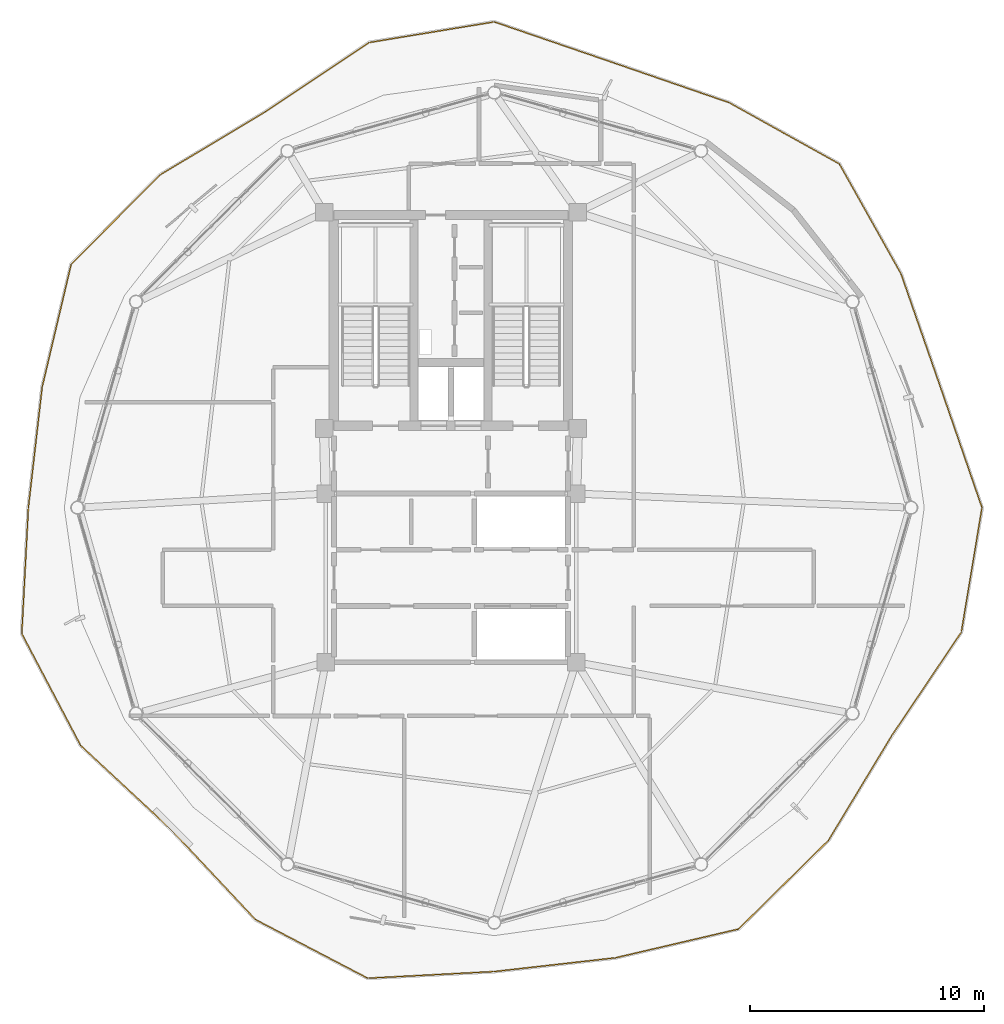
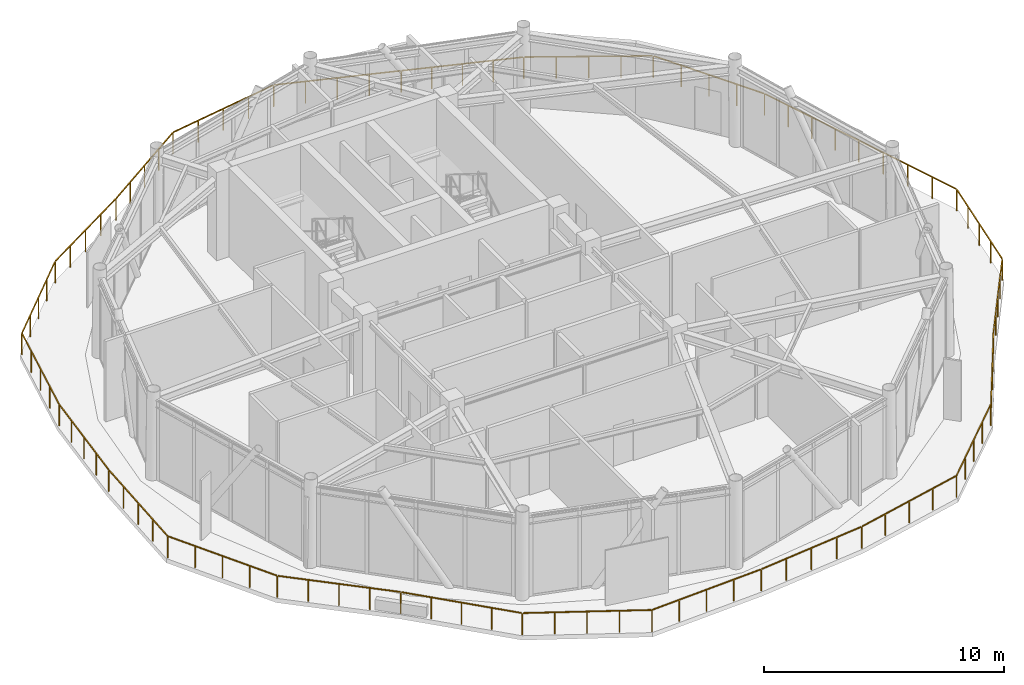
# One storey, part 23 of 24: 1 railing.
"""IFC4 building model written with IfcOpenShell, lengths in metres."""

from ifc_helpers import new_model, si_unit, direction, frame, origin, origin_2d, place, context, subcontext, project, spatial, rectangle, extrude, material, type_object, element, save


model = new_model("IFC4")

# Units and contexts
model_context = context("Model", 3, precision=1e-05, world=origin(), true_north=direction((0.0, 1.0)))
body_context = subcontext(model_context, "Body", "Model", "MODEL_VIEW")
ifc_project = project(units=[si_unit("LENGTHUNIT", "METRE"), si_unit("AREAUNIT", "SQUARE_METRE"), si_unit("VOLUMEUNIT", "CUBIC_METRE"), si_unit("PLANEANGLEUNIT", "RADIAN"), si_unit("MASSUNIT", "GRAM", prefix="KILO")], contexts=[model_context])

# Site, building, storey
site_placement = place(None, origin())
site = spatial("IfcSite", under=ifc_project, at=site_placement, CompositionType="ELEMENT")
building_placement = place(site_placement, origin())
building = spatial("IfcBuilding", under=site, at=building_placement, Name="Varnakorn Sky Granary", CompositionType="ELEMENT")
storey_placement = place(building_placement, frame((0.0, 0.0, 285.0)))
storey = spatial("IfcBuildingStorey", under=building, at=storey_placement, Name="L73", CompositionType="ELEMENT", Elevation=285.0)

# Railing
ifc_material = material(Name="Anodised Bronze Aluminium Alloy 6063-T6", Category="aluminium")
railing_type = type_object("IfcRailingType", Name="RL-BAL-1120", PredefinedType="BALUSTRADE", material=ifc_material)
railing_placement = place(storey_placement, frame((25.684814453125, 0.0, 0.0)))
element("IfcRailing", 1, at=railing_placement, inside=storey, type_object=railing_type, Name="Wavy Growing Deck Guard Balustrade L73", PredefinedType="BALUSTRADE", context=body_context, shape_type="SweptSolid", body=[
    extrude(rectangle(XDim=0.048095703125, YDim=0.048095703125, at=origin_2d()), frame((-0.009033203125, 0.0263671875, 1.09619140625), z_axis=(-0.32616673258, 0.945312256642, 0.0), x_axis=(-0.945312256642, -0.32616673258, 0.0)), (0.0, 0.0, 1.0), 5.328857421875),
    extrude(rectangle(XDim=0.048095703125, YDim=0.048095703125, at=origin_2d()), frame((-1.765625, 5.11669921875, 1.09619140625), z_axis=(-0.328584519745, 0.944474570004, 0.0), x_axis=(-0.944474570004, -0.328584519745, 0.0)), (0.0, 0.0, 1.0), 5.130859375),
    extrude(rectangle(XDim=0.048095703125, YDim=0.048095703125, at=origin_2d()), frame((-3.474365234375, 10.013671875, 1.09619140625), z_axis=(-0.48922908958, 0.872155317537, 0.0), x_axis=(-0.872155317537, -0.48922908958, 0.0)), (0.0, 0.0, 1.0), 5.324951171875),
    extrude(rectangle(XDim=0.048095703125, YDim=0.048095703125, at=origin_2d()), frame((-6.11767578125, 14.696044921875, 1.09619140625), z_axis=(-0.873962770279, 0.485992876662, 0.0), x_axis=(-0.485992876662, -0.873962770279, 0.0)), (0.0, 0.0, 1.0), 5.333740234375),
    extrude(rectangle(XDim=0.048095703125, YDim=0.048095703125, at=origin_2d()), frame((-10.830078125, 17.310791015625, 1.09619140625), z_axis=(-0.945415357296, 0.32586776795, 0.0), x_axis=(-0.32586776795, -0.945415357296, 0.0)), (0.0, 0.0, 1.0), 5.147216796875),
    extrude(rectangle(XDim=0.048095703125, YDim=0.048095703125, at=origin_2d()), frame((-15.749267578125, 19.00634765625, 1.09619140625), z_axis=(-0.945900793509, 0.324455989062, 0.0), x_axis=(-0.324455989062, -0.945900793509, 0.0)), (0.0, 0.0, 1.0), 5.34814453125),
    extrude(rectangle(XDim=0.048095703125, YDim=0.048095703125, at=origin_2d()), frame((-20.8623046875, 20.74609375, 1.09619140625), z_axis=(-0.986642456679, -0.16290077556, 0.0), x_axis=(0.16290077556, -0.986642456679, 0.0)), (0.0, 0.0, 1.0), 5.36181640625),
    extrude(rectangle(XDim=0.048095703125, YDim=0.048095703125, at=origin_2d()), frame((-26.203369140625, 19.8525390625, 1.09619140625), z_axis=(-0.831825662559, -0.555036996162, 0.0), x_axis=(0.555036996162, -0.831825662559, 0.0)), (0.0, 0.0, 1.0), 5.296142578125),
    extrude(rectangle(XDim=0.048095703125, YDim=0.048095703125, at=origin_2d()), frame((-30.65625, 16.883056640625, 1.09619140625), z_axis=(-0.857893045324, -0.51382830088, 0.0), x_axis=(0.51382830088, -0.857893045324, 0.0)), (0.0, 0.0, 1.0), 5.162841796875),
    extrude(rectangle(XDim=0.048095703125, YDim=0.048095703125, at=origin_2d()), frame((-35.12939453125, 14.196044921875, 1.09619140625), z_axis=(-0.704974564676, -0.709232587492, 0.0), x_axis=(0.709232587492, -0.704974564676, 0.0)), (0.0, 0.0, 1.0), 5.333740234375),
    extrude(rectangle(XDim=0.048095703125, YDim=0.048095703125, at=origin_2d()), frame((-38.91552734375, 10.365966796875, 1.09619140625), z_axis=(-0.229787315425, -0.973240869297, 0.0), x_axis=(0.973240869297, -0.229787315425, 0.0)), (0.0, 0.0, 1.0), 5.32861328125),
    extrude(rectangle(XDim=0.048095703125, YDim=0.048095703125, at=origin_2d()), frame((-40.149658203125, 5.125, 1.09619140625), z_axis=(-0.113680677275, -0.993517339363, 0.0), x_axis=(0.993517339363, -0.113680677275, 0.0)), (0.0, 0.0, 1.0), 5.13037109375),
    extrude(rectangle(XDim=0.048095703125, YDim=0.048095703125, at=origin_2d()), frame((-40.737548828125, -0.028076171875, 1.09619140625), z_axis=(-0.052145440359, -0.998639501046, 0.0), x_axis=(0.998639501046, -0.052145440359, 0.0)), (0.0, 0.0, 1.0), 5.337646484375),
    extrude(rectangle(XDim=0.048095703125, YDim=0.048095703125, at=origin_2d()), frame((-41.00439453125, -5.410888671875, 1.09619140625), z_axis=(0.465744567556, -0.884919204104, 0.0), x_axis=(0.884919204104, 0.465744567556, 0.0)), (0.0, 0.0, 1.0), 5.33837890625),
    extrude(rectangle(XDim=0.048095703125, YDim=0.048095703125, at=origin_2d()), frame((-38.484375, -10.178955078125, 1.09619140625), z_axis=(0.732473452938, -0.68079559395, 0.0), x_axis=(0.68079559395, 0.732473452938, 0.0)), (0.0, 0.0, 1.0), 5.21630859375),
    extrude(rectangle(XDim=0.048095703125, YDim=0.048095703125, at=origin_2d()), frame((-34.6240234375, -13.769775390625, 1.09619140625), z_axis=(0.683797914614, -0.729671441109, 0.0), x_axis=(0.729671441109, 0.683797914614, 0.0)), (0.0, 0.0, 1.0), 5.218017578125),
    extrude(rectangle(XDim=0.048095703125, YDim=0.048095703125, at=origin_2d()), frame((-31.01171875, -17.610595703125, 1.09619140625), z_axis=(0.88639723176, -0.462925423289, 0.0), x_axis=(0.462925423289, 0.88639723176, 0.0)), (0.0, 0.0, 1.0), 5.352294921875),
    extrude(rectangle(XDim=0.048095703125, YDim=0.048095703125, at=origin_2d()), frame((-26.214599609375, -20.099853515625, 1.09619140625), z_axis=(0.998624546186, 0.052431057163, 0.0), x_axis=(-0.052431057163, 0.998624546186, 0.0)), (0.0, 0.0, 1.0), 5.359375),
    extrude(rectangle(XDim=0.048095703125, YDim=0.048095703125, at=origin_2d()), frame((-20.806884765625, -19.814208984375, 1.09619140625), z_axis=(0.993633673279, 0.11265932419, 0.0), x_axis=(-0.11265932419, 0.993633673279, 0.0)), (0.0, 0.0, 1.0), 5.1513671875),
    extrude(rectangle(XDim=0.048095703125, YDim=0.048095703125, at=origin_2d()), frame((-15.633056640625, -19.224365234375, 1.09619140625), z_axis=(0.973779839959, 0.227492468645, 0.0), x_axis=(-0.227492468645, 0.973779839959, 0.0)), (0.0, 0.0, 1.0), 5.346435546875),
    extrude(rectangle(XDim=0.048095703125, YDim=0.048095703125, at=origin_2d()), frame((-10.379638671875, -17.98193359375, 1.09619140625), z_axis=(0.712092017934, 0.702086147132, 0.0), x_axis=(-0.702086147132, 0.712092017934, 0.0)), (0.0, 0.0, 1.0), 5.33642578125),
    extrude(rectangle(XDim=0.048095703125, YDim=0.048095703125, at=origin_2d()), frame((-6.54541015625, -14.19189453125, 1.09619140625), z_axis=(0.517187143477, 0.855872337806, 0.0), x_axis=(-0.855872337806, 0.517187143477, 0.0)), (0.0, 0.0, 1.0), 5.155029296875),
    extrude(rectangle(XDim=0.048095703125, YDim=0.048095703125, at=origin_2d()), frame((-3.84912109375, -9.732666015625, 1.09619140625), z_axis=(0.557871656226, 0.82992723487, 0.0), x_axis=(-0.82992723487, 0.557871656226, 0.0)), (0.0, 0.0, 1.0), 5.284423828125),
    extrude(rectangle(XDim=0.048095703125, YDim=0.048095703125, at=origin_2d()), frame((-0.880859375, -5.296142578125, 1.09619140625), z_axis=(0.16407620324, 0.986447666899, 0.0), x_axis=(-0.986447666899, 0.16407620324, 0.0)), (0.0, 0.0, 1.0), 5.3408203125),
    extrude(rectangle(XDim=0.0419921875, YDim=0.0419921875, at=origin_2d()), origin(), (0.0, 0.0, 1.0), 1.068115234375),
    extrude(rectangle(XDim=0.0419921875, YDim=0.0419921875, at=origin_2d()), frame((-0.43896484375, 1.2724609375, 0.0)), (0.0, 0.0, 1.0), 1.068115234375),
    extrude(rectangle(XDim=0.0419921875, YDim=0.0419921875, at=origin_2d()), frame((-0.878173828125, 2.545166015625, 0.0)), (0.0, 0.0, 1.0), 1.068115234375),
    extrude(rectangle(XDim=0.0419921875, YDim=0.0419921875, at=origin_2d()), frame((-1.3173828125, 3.81787109375, 0.0)), (0.0, 0.0, 1.0), 1.068115234375),
    extrude(rectangle(XDim=0.0419921875, YDim=0.0419921875, at=origin_2d()), frame((-1.75634765625, 5.09033203125, 0.0)), (0.0, 0.0, 1.0), 1.068115234375),
    extrude(rectangle(XDim=0.0419921875, YDim=0.0419921875, at=origin_2d()), frame((-2.182373046875, 6.31494140625, 0.0)), (0.0, 0.0, 1.0), 1.068115234375),
    extrude(rectangle(XDim=0.0419921875, YDim=0.0419921875, at=origin_2d()), frame((-2.6083984375, 7.539794921875, 0.0)), (0.0, 0.0, 1.0), 1.068115234375),
    extrude(rectangle(XDim=0.0419921875, YDim=0.0419921875, at=origin_2d()), frame((-3.03466796875, 8.7646484375, 0.0)), (0.0, 0.0, 1.0), 1.068115234375),
    extrude(rectangle(XDim=0.0419921875, YDim=0.0419921875, at=origin_2d()), frame((-3.460693359375, 9.9892578125, 0.0)), (0.0, 0.0, 1.0), 1.068115234375),
    extrude(rectangle(XDim=0.0419921875, YDim=0.0419921875, at=origin_2d()), frame((-4.118896484375, 11.16259765625, 0.0)), (0.0, 0.0, 1.0), 1.068115234375),
    extrude(rectangle(XDim=0.0419921875, YDim=0.0419921875, at=origin_2d()), frame((-4.77685546875, 12.3359375, 0.0)), (0.0, 0.0, 1.0), 1.068115234375),
    extrude(rectangle(XDim=0.0419921875, YDim=0.0419921875, at=origin_2d()), frame((-5.43505859375, 13.509033203125, 0.0)), (0.0, 0.0, 1.0), 1.068115234375),
    extrude(rectangle(XDim=0.0419921875, YDim=0.0419921875, at=origin_2d()), frame((-6.09326171875, 14.682373046875, 0.0)), (0.0, 0.0, 1.0), 1.068115234375),
    extrude(rectangle(XDim=0.0419921875, YDim=0.0419921875, at=origin_2d()), frame((-7.27099609375, 15.337158203125, 0.0)), (0.0, 0.0, 1.0), 1.068115234375),
    extrude(rectangle(XDim=0.0419921875, YDim=0.0419921875, at=origin_2d()), frame((-8.448486328125, 15.9921875, 0.0)), (0.0, 0.0, 1.0), 1.068115234375),
    extrude(rectangle(XDim=0.0419921875, YDim=0.0419921875, at=origin_2d()), frame((-9.6259765625, 16.64697265625, 0.0)), (0.0, 0.0, 1.0), 1.068115234375),
    extrude(rectangle(XDim=0.0419921875, YDim=0.0419921875, at=origin_2d()), frame((-10.8037109375, 17.3017578125, 0.0)), (0.0, 0.0, 1.0), 1.068115234375),
    extrude(rectangle(XDim=0.0419921875, YDim=0.0419921875, at=origin_2d()), frame((-12.033447265625, 17.7255859375, 0.0)), (0.0, 0.0, 1.0), 1.068115234375),
    extrude(rectangle(XDim=0.0419921875, YDim=0.0419921875, at=origin_2d()), frame((-13.26318359375, 18.1494140625, 0.0)), (0.0, 0.0, 1.0), 1.068115234375),
    extrude(rectangle(XDim=0.0419921875, YDim=0.0419921875, at=origin_2d()), frame((-14.4931640625, 18.573486328125, 0.0)), (0.0, 0.0, 1.0), 1.068115234375),
    extrude(rectangle(XDim=0.0419921875, YDim=0.0419921875, at=origin_2d()), frame((-15.722900390625, 18.997314453125, 0.0)), (0.0, 0.0, 1.0), 1.068115234375),
    extrude(rectangle(XDim=0.0419921875, YDim=0.0419921875, at=origin_2d()), frame((-17.0009765625, 19.435546875, 0.0)), (0.0, 0.0, 1.0), 1.068115234375),
    extrude(rectangle(XDim=0.0419921875, YDim=0.0419921875, at=origin_2d()), frame((-18.27880859375, 19.8740234375, 0.0)), (0.0, 0.0, 1.0), 1.068115234375),
    extrude(rectangle(XDim=0.0419921875, YDim=0.0419921875, at=origin_2d()), frame((-19.556640625, 20.3125, 0.0)), (0.0, 0.0, 1.0), 1.068115234375),
    extrude(rectangle(XDim=0.0419921875, YDim=0.0419921875, at=origin_2d()), frame((-20.834716796875, 20.750732421875, 0.0)), (0.0, 0.0, 1.0), 1.068115234375),
    extrude(rectangle(XDim=0.0419921875, YDim=0.0419921875, at=origin_2d()), frame((-22.171142578125, 20.530029296875, 0.0)), (0.0, 0.0, 1.0), 1.068115234375),
    extrude(rectangle(XDim=0.0419921875, YDim=0.0419921875, at=origin_2d()), frame((-23.50732421875, 20.3095703125, 0.0)), (0.0, 0.0, 1.0), 1.068115234375),
    extrude(rectangle(XDim=0.0419921875, YDim=0.0419921875, at=origin_2d()), frame((-24.84375, 20.0888671875, 0.0)), (0.0, 0.0, 1.0), 1.068115234375),
    extrude(rectangle(XDim=0.0419921875, YDim=0.0419921875, at=origin_2d()), frame((-26.18017578125, 19.8681640625, 0.0)), (0.0, 0.0, 1.0), 1.068115234375),
    extrude(rectangle(XDim=0.0419921875, YDim=0.0419921875, at=origin_2d()), frame((-27.293212890625, 19.12548828125, 0.0)), (0.0, 0.0, 1.0), 1.068115234375),
    extrude(rectangle(XDim=0.0419921875, YDim=0.0419921875, at=origin_2d()), frame((-28.40625, 18.3828125, 0.0)), (0.0, 0.0, 1.0), 1.068115234375),
    extrude(rectangle(XDim=0.0419921875, YDim=0.0419921875, at=origin_2d()), frame((-29.519287109375, 17.64013671875, 0.0)), (0.0, 0.0, 1.0), 1.068115234375),
    extrude(rectangle(XDim=0.0419921875, YDim=0.0419921875, at=origin_2d()), frame((-30.63232421875, 16.8974609375, 0.0)), (0.0, 0.0, 1.0), 1.068115234375),
    extrude(rectangle(XDim=0.0419921875, YDim=0.0419921875, at=origin_2d()), frame((-31.751708984375, 16.22705078125, 0.0)), (0.0, 0.0, 1.0), 1.068115234375),
    extrude(rectangle(XDim=0.0419921875, YDim=0.0419921875, at=origin_2d()), frame((-32.87109375, 15.556640625, 0.0)), (0.0, 0.0, 1.0), 1.068115234375),
    extrude(rectangle(XDim=0.0419921875, YDim=0.0419921875, at=origin_2d()), frame((-33.990234375, 14.88623046875, 0.0)), (0.0, 0.0, 1.0), 1.068115234375),
    extrude(rectangle(XDim=0.0419921875, YDim=0.0419921875, at=origin_2d()), frame((-35.109619140625, 14.2158203125, 0.0)), (0.0, 0.0, 1.0), 1.068115234375),
    extrude(rectangle(XDim=0.0419921875, YDim=0.0419921875, at=origin_2d()), frame((-36.0595703125, 13.26025390625, 0.0)), (0.0, 0.0, 1.0), 1.068115234375),
    extrude(rectangle(XDim=0.0419921875, YDim=0.0419921875, at=origin_2d()), frame((-37.00927734375, 12.3046875, 0.0)), (0.0, 0.0, 1.0), 1.068115234375),
    extrude(rectangle(XDim=0.0419921875, YDim=0.0419921875, at=origin_2d()), frame((-37.959228515625, 11.348876953125, 0.0)), (0.0, 0.0, 1.0), 1.068115234375),
    extrude(rectangle(XDim=0.0419921875, YDim=0.0419921875, at=origin_2d()), frame((-38.9091796875, 10.393310546875, 0.0)), (0.0, 0.0, 1.0), 1.068115234375),
    extrude(rectangle(XDim=0.0419921875, YDim=0.0419921875, at=origin_2d()), frame((-39.218505859375, 9.083251953125, 0.0)), (0.0, 0.0, 1.0), 1.068115234375),
    extrude(rectangle(XDim=0.0419921875, YDim=0.0419921875, at=origin_2d()), frame((-39.52783203125, 7.77294921875, 0.0)), (0.0, 0.0, 1.0), 1.068115234375),
    extrude(rectangle(XDim=0.0419921875, YDim=0.0419921875, at=origin_2d()), frame((-39.837158203125, 6.462890625, 0.0)), (0.0, 0.0, 1.0), 1.068115234375),
    extrude(rectangle(XDim=0.0419921875, YDim=0.0419921875, at=origin_2d()), frame((-40.146484375, 5.15283203125, 0.0)), (0.0, 0.0, 1.0), 1.068115234375),
    extrude(rectangle(XDim=0.0419921875, YDim=0.0419921875, at=origin_2d()), frame((-40.2939453125, 3.86474609375, 0.0)), (0.0, 0.0, 1.0), 1.068115234375),
    extrude(rectangle(XDim=0.0419921875, YDim=0.0419921875, at=origin_2d()), frame((-40.44140625, 2.576416015625, 0.0)), (0.0, 0.0, 1.0), 1.068115234375),
    extrude(rectangle(XDim=0.0419921875, YDim=0.0419921875, at=origin_2d()), frame((-40.588623046875, 1.2880859375, 0.0)), (0.0, 0.0, 1.0), 1.068115234375),
    extrude(rectangle(XDim=0.0419921875, YDim=0.0419921875, at=origin_2d()), frame((-40.736083984375, 0.0, 0.0)), (0.0, 0.0, 1.0), 1.068115234375),
    extrude(rectangle(XDim=0.0419921875, YDim=0.0419921875, at=origin_2d()), frame((-40.806396484375, -1.3466796875, 0.0)), (0.0, 0.0, 1.0), 1.068115234375),
    extrude(rectangle(XDim=0.0419921875, YDim=0.0419921875, at=origin_2d()), frame((-40.876708984375, -2.693115234375, 0.0)), (0.0, 0.0, 1.0), 1.068115234375),
    extrude(rectangle(XDim=0.0419921875, YDim=0.0419921875, at=origin_2d()), frame((-40.947021484375, -4.03955078125, 0.0)), (0.0, 0.0, 1.0), 1.068115234375),
    extrude(rectangle(XDim=0.0419921875, YDim=0.0419921875, at=origin_2d()), frame((-41.017333984375, -5.38623046875, 0.0)), (0.0, 0.0, 1.0), 1.068115234375),
    extrude(rectangle(XDim=0.0419921875, YDim=0.0419921875, at=origin_2d()), frame((-40.38916015625, -6.57958984375, 0.0)), (0.0, 0.0, 1.0), 1.068115234375),
    extrude(rectangle(XDim=0.0419921875, YDim=0.0419921875, at=origin_2d()), frame((-39.76123046875, -7.77294921875, 0.0)), (0.0, 0.0, 1.0), 1.068115234375),
    extrude(rectangle(XDim=0.0419921875, YDim=0.0419921875, at=origin_2d()), frame((-39.133056640625, -8.966552734375, 0.0)), (0.0, 0.0, 1.0), 1.068115234375),
    extrude(rectangle(XDim=0.0419921875, YDim=0.0419921875, at=origin_2d()), frame((-38.5048828125, -10.159912109375, 0.0)), (0.0, 0.0, 1.0), 1.068115234375),
    extrude(rectangle(XDim=0.0419921875, YDim=0.0419921875, at=origin_2d()), frame((-37.53955078125, -11.05712890625, 0.0)), (0.0, 0.0, 1.0), 1.068115234375),
    extrude(rectangle(XDim=0.0419921875, YDim=0.0419921875, at=origin_2d()), frame((-36.573974609375, -11.95458984375, 0.0)), (0.0, 0.0, 1.0), 1.068115234375),
    extrude(rectangle(XDim=0.0419921875, YDim=0.0419921875, at=origin_2d()), frame((-35.6083984375, -12.85205078125, 0.0)), (0.0, 0.0, 1.0), 1.068115234375),
    extrude(rectangle(XDim=0.0419921875, YDim=0.0419921875, at=origin_2d()), frame((-34.64306640625, -13.749267578125, 0.0)), (0.0, 0.0, 1.0), 1.068115234375),
    extrude(rectangle(XDim=0.0419921875, YDim=0.0419921875, at=origin_2d()), frame((-33.741455078125, -14.71142578125, 0.0)), (0.0, 0.0, 1.0), 1.068115234375),
    extrude(rectangle(XDim=0.0419921875, YDim=0.0419921875, at=origin_2d()), frame((-32.83984375, -15.67333984375, 0.0)), (0.0, 0.0, 1.0), 1.068115234375),
    extrude(rectangle(XDim=0.0419921875, YDim=0.0419921875, at=origin_2d()), frame((-31.938232421875, -16.635498046875, 0.0)), (0.0, 0.0, 1.0), 1.068115234375),
    extrude(rectangle(XDim=0.0419921875, YDim=0.0419921875, at=origin_2d()), frame((-31.03662109375, -17.59765625, 0.0)), (0.0, 0.0, 1.0), 1.068115234375),
    extrude(rectangle(XDim=0.0419921875, YDim=0.0419921875, at=origin_2d()), frame((-29.838134765625, -18.2236328125, 0.0)), (0.0, 0.0, 1.0), 1.068115234375),
    extrude(rectangle(XDim=0.0419921875, YDim=0.0419921875, at=origin_2d()), frame((-28.6396484375, -18.849609375, 0.0)), (0.0, 0.0, 1.0), 1.068115234375),
    extrude(rectangle(XDim=0.0419921875, YDim=0.0419921875, at=origin_2d()), frame((-27.441162109375, -19.475341796875, 0.0)), (0.0, 0.0, 1.0), 1.068115234375),
    extrude(rectangle(XDim=0.0419921875, YDim=0.0419921875, at=origin_2d()), frame((-26.24267578125, -20.101318359375, 0.0)), (0.0, 0.0, 1.0), 1.068115234375),
    extrude(rectangle(XDim=0.0419921875, YDim=0.0419921875, at=origin_2d()), frame((-24.890625, -20.0302734375, 0.0)), (0.0, 0.0, 1.0), 1.068115234375),
    extrude(rectangle(XDim=0.0419921875, YDim=0.0419921875, at=origin_2d()), frame((-23.53857421875, -19.95947265625, 0.0)), (0.0, 0.0, 1.0), 1.068115234375),
    extrude(rectangle(XDim=0.0419921875, YDim=0.0419921875, at=origin_2d()), frame((-22.186767578125, -19.888427734375, 0.0)), (0.0, 0.0, 1.0), 1.068115234375),
    extrude(rectangle(XDim=0.0419921875, YDim=0.0419921875, at=origin_2d()), frame((-20.834716796875, -19.8173828125, 0.0)), (0.0, 0.0, 1.0), 1.068115234375),
    extrude(rectangle(XDim=0.0419921875, YDim=0.0419921875, at=origin_2d()), frame((-19.541015625, -19.670654296875, 0.0)), (0.0, 0.0, 1.0), 1.068115234375),
    extrude(rectangle(XDim=0.0419921875, YDim=0.0419921875, at=origin_2d()), frame((-18.24755859375, -19.52392578125, 0.0)), (0.0, 0.0, 1.0), 1.068115234375),
    extrude(rectangle(XDim=0.0419921875, YDim=0.0419921875, at=origin_2d()), frame((-16.9541015625, -19.37744140625, 0.0)), (0.0, 0.0, 1.0), 1.068115234375),
    extrude(rectangle(XDim=0.0419921875, YDim=0.0419921875, at=origin_2d()), frame((-15.660400390625, -19.230712890625, 0.0)), (0.0, 0.0, 1.0), 1.068115234375),
    extrude(rectangle(XDim=0.0419921875, YDim=0.0419921875, at=origin_2d()), frame((-14.34521484375, -18.92333984375, 0.0)), (0.0, 0.0, 1.0), 1.068115234375),
    extrude(rectangle(XDim=0.0419921875, YDim=0.0419921875, at=origin_2d()), frame((-13.030029296875, -18.6162109375, 0.0)), (0.0, 0.0, 1.0), 1.068115234375),
    extrude(rectangle(XDim=0.0419921875, YDim=0.0419921875, at=origin_2d()), frame((-11.71484375, -18.30908203125, 0.0)), (0.0, 0.0, 1.0), 1.068115234375),
    extrude(rectangle(XDim=0.0419921875, YDim=0.0419921875, at=origin_2d()), frame((-10.399658203125, -18.001708984375, 0.0)), (0.0, 0.0, 1.0), 1.068115234375),
    extrude(rectangle(XDim=0.0419921875, YDim=0.0419921875, at=origin_2d()), frame((-9.439697265625, -17.05517578125, 0.0)), (0.0, 0.0, 1.0), 1.068115234375),
    extrude(rectangle(XDim=0.0419921875, YDim=0.0419921875, at=origin_2d()), frame((-8.479736328125, -16.10888671875, 0.0)), (0.0, 0.0, 1.0), 1.068115234375),
    extrude(rectangle(XDim=0.0419921875, YDim=0.0419921875, at=origin_2d()), frame((-7.519775390625, -15.162353515625, 0.0)), (0.0, 0.0, 1.0), 1.068115234375),
    extrude(rectangle(XDim=0.0419921875, YDim=0.0419921875, at=origin_2d()), frame((-6.559814453125, -14.2158203125, 0.0)), (0.0, 0.0, 1.0), 1.068115234375),
    extrude(rectangle(XDim=0.0419921875, YDim=0.0419921875, at=origin_2d()), frame((-5.885986328125, -13.100830078125, 0.0)), (0.0, 0.0, 1.0), 1.068115234375),
    extrude(rectangle(XDim=0.0419921875, YDim=0.0419921875, at=origin_2d()), frame((-5.21240234375, -11.98583984375, 0.0)), (0.0, 0.0, 1.0), 1.068115234375),
    extrude(rectangle(XDim=0.0419921875, YDim=0.0419921875, at=origin_2d()), frame((-4.53857421875, -10.870849609375, 0.0)), (0.0, 0.0, 1.0), 1.068115234375),
    extrude(rectangle(XDim=0.0419921875, YDim=0.0419921875, at=origin_2d()), frame((-3.86474609375, -9.755859375, 0.0)), (0.0, 0.0, 1.0), 1.068115234375),
    extrude(rectangle(XDim=0.0419921875, YDim=0.0419921875, at=origin_2d()), frame((-3.119873046875, -8.64794921875, 0.0)), (0.0, 0.0, 1.0), 1.068115234375),
    extrude(rectangle(XDim=0.0419921875, YDim=0.0419921875, at=origin_2d()), frame((-2.375, -7.539794921875, 0.0)), (0.0, 0.0, 1.0), 1.068115234375),
    extrude(rectangle(XDim=0.0419921875, YDim=0.0419921875, at=origin_2d()), frame((-1.63037109375, -6.431640625, 0.0)), (0.0, 0.0, 1.0), 1.068115234375),
    extrude(rectangle(XDim=0.0419921875, YDim=0.0419921875, at=origin_2d()), frame((-0.885498046875, -5.32373046875, 0.0)), (0.0, 0.0, 1.0), 1.068115234375),
    extrude(rectangle(XDim=0.0419921875, YDim=0.0419921875, at=origin_2d()), frame((-0.6640625, -3.99267578125, 0.0)), (0.0, 0.0, 1.0), 1.068115234375),
    extrude(rectangle(XDim=0.0419921875, YDim=0.0419921875, at=origin_2d()), frame((-0.44287109375, -2.661865234375, 0.0)), (0.0, 0.0, 1.0), 1.068115234375),
    extrude(rectangle(XDim=0.0419921875, YDim=0.0419921875, at=origin_2d()), frame((-0.221435546875, -1.3310546875, 0.0)), (0.0, 0.0, 1.0), 1.068115234375),
])

save(model, "model.ifc")
